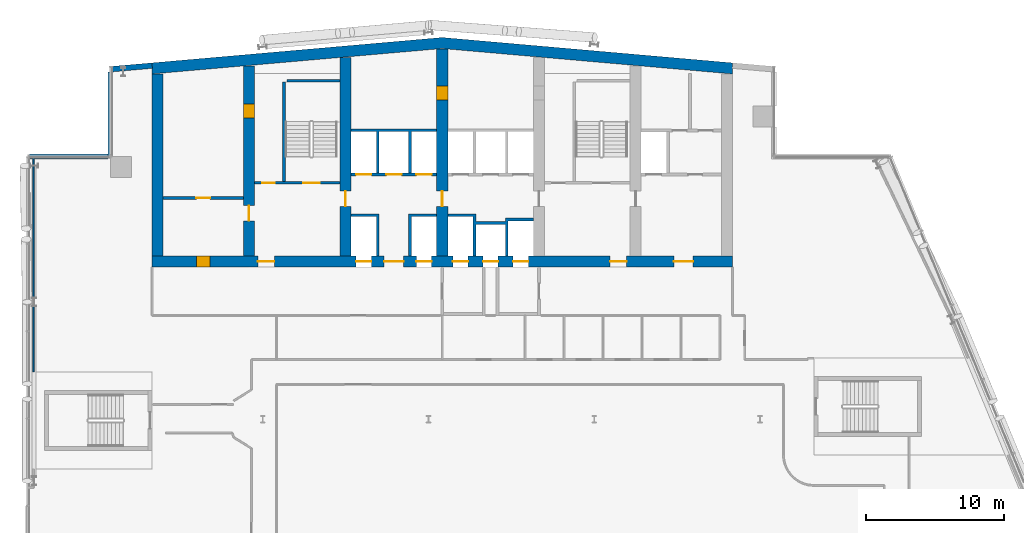
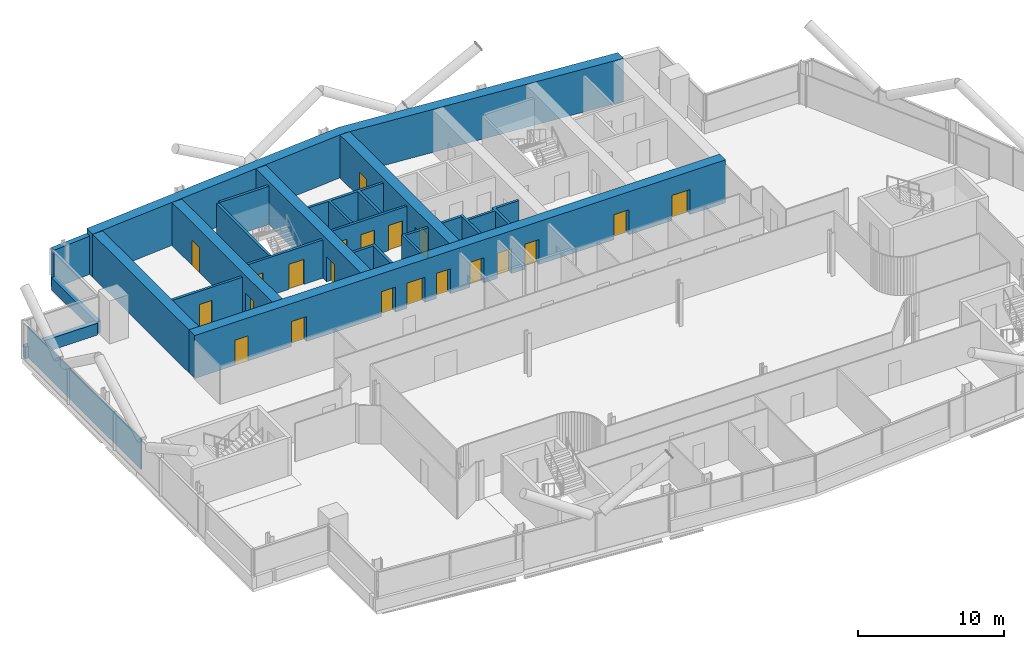
# One storey, part 18 of 27: 21 doors, 19 walls, 21 openings.
"""IFC4 building model written with IfcOpenShell, lengths in metres."""

from ifc_helpers import new_model, si_unit, direction, frame, frame_2d, origin, place, context, subcontext, project, spatial, polyline, rectangle, outline, extrude, material, layer, layer_set, type_object, element, fill, save


model = new_model("IFC4")

# Units and contexts
model_context = context("Model", 3, precision=1e-05, world=origin(), true_north=direction((0.0, 1.0)))
body_context = subcontext(model_context, "Body", "Model", "MODEL_VIEW")
ifc_project = project(units=[si_unit("LENGTHUNIT", "METRE"), si_unit("AREAUNIT", "SQUARE_METRE"), si_unit("VOLUMEUNIT", "CUBIC_METRE"), si_unit("PLANEANGLEUNIT", "RADIAN"), si_unit("MASSUNIT", "GRAM", prefix="KILO")], contexts=[model_context])

# Site, building, storey
site_placement = place(None, origin())
site = spatial("IfcSite", under=ifc_project, at=site_placement, CompositionType="ELEMENT")
building_placement = place(site_placement, origin())
building = spatial("IfcBuilding", under=site, at=building_placement, Name="Wharfspan Tower", CompositionType="ELEMENT")
storey_placement = place(building_placement, frame((0.0, 0.0, 159.100098)))
storey = spatial("IfcBuildingStorey", under=building, at=storey_placement, Name="L38", CompositionType="ELEMENT", Elevation=159.100098)

# Wall, opening, door
ifc_material_1 = material(Name="Calcium silicate masonry", Category="masonry")
ifc_layer_1 = layer(ifc_material_1, 0.199951)
ifc_layer_set_1 = layer_set([ifc_layer_1], Name="Calcium silicate masonry")
wall_type_1 = type_object("IfcWallType", Name="Core room wall 200", PredefinedType="PARTITIONING", material=ifc_layer_set_1)
wall_1_placement = place(storey_placement, frame((16.800049, 39.0, 0.0), z_axis=(0.0, 0.0, 1.0), x_axis=(1.0, 0.0, 0.0)))
wall_1 = element("IfcWall", 1, at=wall_1_placement, inside=storey, type_object=wall_type_1, Name="sw:L38:RM1", PredefinedType="PARTITIONING", context=body_context, shape_type="SweptSolid", body=[
    extrude(rectangle(XDim=5.800049, YDim=0.199951, at=frame_2d((2.899902, 0.0))), origin(), (0.0, 0.0, 1.0), 3.199951),
])
opening_1_placement = place(wall_1_placement, frame((2.399902, 0.0, 0.0)))
opening_1 = element("IfcOpeningElement", 2, at=opening_1_placement, cuts=wall_1, Name="Opening CD38.12", PredefinedType="OPENING", context=body_context, shape_type="SweptSolid", body=[
    extrude(rectangle(XDim=1.0, YDim=2.100098, at=frame_2d((0.5, 1.050049))), frame((0.0, 0.109863, 0.0), z_axis=(0.0, -1.0, 0.0), x_axis=(1.0, 0.0, 0.0)), (0.0, 0.0, 1.0), 0.219971),
])
ifc_material_2 = material(Name="Steel door leaf", Category="steel")
door_type_1 = type_object("IfcDoorType", Name="Core room door 1000x2100", OperationType="SINGLE_SWING_LEFT", PredefinedType="DOOR", material=ifc_material_2)
door_1_placement = place(opening_1_placement, origin())
door_1 = element("IfcDoor", 3, at=door_1_placement, inside=storey, type_object=door_type_1, Name="d:L38:1:rr", OperationType="SINGLE_SWING_RIGHT", OverallHeight=2.100098, OverallWidth=1.0, PredefinedType="DOOR", context=body_context, shape_type="SweptSolid", body=[
    extrude(rectangle(XDim=1.0, YDim=2.100098, at=frame_2d((0.5, 1.050049))), frame((0.0, 0.024902, 0.0), z_axis=(0.0, -1.0, 0.0), x_axis=(1.0, 0.0, 0.0)), (0.0, 0.0, 1.0), 0.050049),
])
fill(opening_1, door_1)

# Wall
ifc_material_3 = material(Name="Concrete C60/75", Category="concrete")
ifc_layer_2 = layer(ifc_material_3, 0.800049)
ifc_layer_set_2 = layer_set([ifc_layer_2], Name="Concrete C60/75")
wall_type_2 = type_object("IfcWallType", Name="Core wall 800 C60/75", PredefinedType="SHEAR", material=ifc_layer_set_2)
wall_2_placement = place(storey_placement, frame((0.0, 0.0, -0.000244)))
element("IfcWall", 4, at=wall_2_placement, inside=storey, type_object=wall_type_2, Name="Core rear wall L38", PredefinedType="SHEAR", context=body_context, shape_type="SweptSolid", body=[
    extrude(outline(polyline([(16.0, 47.984375), (37.0, 49.821533), (58.0, 47.984375), (58.0, 48.787354), (37.0, 50.624756), (16.0, 48.787354), (16.0, 47.984375)])), origin(), (0.0, 0.0, 1.0), 3.600098),
])

# Wall, openings, doors
wall_3_placement = place(storey_placement, frame((16.0, 34.399902, 0.0), z_axis=(0.0, 0.0, 1.0), x_axis=(1.0, 0.0, 0.0)))
wall_3 = element("IfcWall", 5, at=wall_3_placement, inside=storey, type_object=wall_type_2, Name="Core front wall L38", PredefinedType="SHEAR", context=body_context, shape_type="SweptSolid", body=[
    extrude(rectangle(XDim=42.0, YDim=0.800049, at=frame_2d((21.0, 0.0))), origin(), (0.0, 0.0, 1.0), 3.599854),
])
opening_2_placement = place(wall_3_placement, frame((3.199951, 0.0, 0.0)))
opening_2 = element("IfcOpeningElement", 6, at=opening_2_placement, cuts=wall_3, Name="Opening CD38.11", PredefinedType="OPENING", context=body_context, shape_type="SweptSolid", body=[
    extrude(rectangle(XDim=1.0, YDim=2.100098, at=frame_2d((0.5, 1.050049))), frame((0.0, 0.409912, 0.0), z_axis=(0.0, -1.0, 0.0), x_axis=(1.0, 0.0, 0.0)), (0.0, 0.0, 1.0), 0.820068),
])
opening_3_placement = place(wall_3_placement, frame((7.649902, 0.0, 0.0)))
opening_3 = element("IfcOpeningElement", 7, at=opening_3_placement, cuts=wall_3, Name="Opening SV2.L38", PredefinedType="OPENING", context=body_context, shape_type="SweptSolid", body=[
    extrude(rectangle(XDim=1.199951, YDim=2.100098, at=frame_2d((0.600098, 1.050049))), frame((0.0, 0.409912, 0.0), z_axis=(0.0, -1.0, 0.0), x_axis=(1.0, 0.0, 0.0)), (0.0, 0.0, 1.0), 0.820068),
])
opening_4_placement = place(wall_3_placement, frame((14.766602, 0.0, 0.0)))
opening_4 = element("IfcOpeningElement", 8, at=opening_4_placement, cuts=wall_3, Name="Opening LD.SL1.L38", PredefinedType="OPENING", context=body_context, shape_type="SweptSolid", body=[
    extrude(rectangle(XDim=1.100098, YDim=2.100098, at=frame_2d((0.550049, 1.050049))), frame((0.0, 0.409912, 0.0), z_axis=(0.0, -1.0, 0.0), x_axis=(1.0, 0.0, 0.0)), (0.0, 0.0, 1.0), 0.820068),
])
opening_5_placement = place(wall_3_placement, frame((19.133301, 0.0, 0.0)))
opening_5 = element("IfcOpeningElement", 9, at=opening_5_placement, cuts=wall_3, Name="Opening LD.SL2.L38", PredefinedType="OPENING", context=body_context, shape_type="SweptSolid", body=[
    extrude(rectangle(XDim=1.100098, YDim=2.100098, at=frame_2d((0.550049, 1.050049))), frame((0.0, 0.409912, 0.0), z_axis=(0.0, -1.0, 0.0), x_axis=(1.0, 0.0, 0.0)), (0.0, 0.0, 1.0), 0.820068),
])
opening_6_placement = place(wall_3_placement, frame((16.800049, 0.0, 0.0)))
opening_6 = element("IfcOpeningElement", 10, at=opening_6_placement, cuts=wall_3, Name="Opening HD38.3", PredefinedType="OPENING", context=body_context, shape_type="SweptSolid", body=[
    extrude(rectangle(XDim=1.399902, YDim=2.100098, at=frame_2d((0.699951, 1.050049))), frame((0.0, 0.409912, 0.0), z_axis=(0.0, -1.0, 0.0), x_axis=(1.0, 0.0, 0.0)), (0.0, 0.0, 1.0), 0.820068),
])
opening_7_placement = place(wall_3_placement, frame((21.766602, 0.0, 0.0)))
opening_7 = element("IfcOpeningElement", 11, at=opening_7_placement, cuts=wall_3, Name="Opening LD.FF1.L38", PredefinedType="OPENING", context=body_context, shape_type="SweptSolid", body=[
    extrude(rectangle(XDim=1.100098, YDim=2.100098, at=frame_2d((0.550049, 1.050049))), frame((0.0, 0.409912, 0.0), z_axis=(0.0, -1.0, 0.0), x_axis=(1.0, 0.0, 0.0)), (0.0, 0.0, 1.0), 0.820068),
])
opening_8_placement = place(wall_3_placement, frame((23.949951, 0.0, 0.0)))
opening_8 = element("IfcOpeningElement", 12, at=opening_8_placement, cuts=wall_3, Name="Opening LD.LB7.L38", PredefinedType="OPENING", context=body_context, shape_type="SweptSolid", body=[
    extrude(rectangle(XDim=1.100098, YDim=2.100098, at=frame_2d((0.550049, 1.050049))), frame((0.0, 0.409912, 0.0), z_axis=(0.0, -1.0, 0.0), x_axis=(1.0, 0.0, 0.0)), (0.0, 0.0, 1.0), 0.820068),
])
opening_9_placement = place(wall_3_placement, frame((26.133301, 0.0, 0.0)))
opening_9 = element("IfcOpeningElement", 13, at=opening_9_placement, cuts=wall_3, Name="Opening LD.FF2.L38", PredefinedType="OPENING", context=body_context, shape_type="SweptSolid", body=[
    extrude(rectangle(XDim=1.100098, YDim=2.100098, at=frame_2d((0.550049, 1.050049))), frame((0.0, 0.409912, 0.0), z_axis=(0.0, -1.0, 0.0), x_axis=(1.0, 0.0, 0.0)), (0.0, 0.0, 1.0), 0.820068),
])
opening_10_placement = place(wall_3_placement, frame((33.149902, 0.0, 0.0)))
opening_10 = element("IfcOpeningElement", 14, at=opening_10_placement, cuts=wall_3, Name="Opening SV5.L38", PredefinedType="OPENING", context=body_context, shape_type="SweptSolid", body=[
    extrude(rectangle(XDim=1.199951, YDim=2.100098, at=frame_2d((0.600098, 1.050049))), frame((0.0, 0.409912, 0.0), z_axis=(0.0, -1.0, 0.0), x_axis=(1.0, 0.0, 0.0)), (0.0, 0.0, 1.0), 0.820068),
])
opening_11_placement = place(wall_3_placement, frame((37.766602, 0.0, 0.0)))
opening_11 = element("IfcOpeningElement", 15, at=opening_11_placement, cuts=wall_3, Name="Opening HD38.6", PredefinedType="OPENING", context=body_context, shape_type="SweptSolid", body=[
    extrude(rectangle(XDim=1.399902, YDim=2.100098, at=frame_2d((0.699951, 1.050049))), frame((0.0, 0.409912, 0.0), z_axis=(0.0, -1.0, 0.0), x_axis=(1.0, 0.0, 0.0)), (0.0, 0.0, 1.0), 0.820068),
])
door_2_placement = place(opening_2_placement, origin())
door_2 = element("IfcDoor", 16, at=door_2_placement, inside=storey, type_object=door_type_1, Name="d:L38:1:rf", OperationType="SINGLE_SWING_LEFT", OverallHeight=2.100098, OverallWidth=1.0, PredefinedType="DOOR", context=body_context, shape_type="SweptSolid", body=[
    extrude(rectangle(XDim=1.0, YDim=2.100098, at=frame_2d((0.5, 1.050049))), frame((0.0, 0.399902, 0.0), z_axis=(0.0, -1.0, 0.0), x_axis=(1.0, 0.0, 0.0)), (0.0, 0.0, 1.0), 0.799561),
])
fill(opening_2, door_2)
door_type_2 = type_object("IfcDoorType", Name="Hall entry door 1400x2100", OperationType="DOUBLE_DOOR_SINGLE_SWING", PredefinedType="DOOR", material=ifc_material_2)
door_3_placement = place(opening_6_placement, origin())
door_3 = element("IfcDoor", 17, at=door_3_placement, inside=storey, type_object=door_type_2, Name="d:L38:3:hd3", OperationType="DOUBLE_DOOR_SINGLE_SWING", OverallHeight=2.100098, OverallWidth=1.399902, PredefinedType="DOOR", context=body_context, shape_type="SweptSolid", body=[
    extrude(rectangle(XDim=1.399902, YDim=2.100098, at=frame_2d((0.699951, 1.050049))), frame((0.0, 0.024902, 0.0), z_axis=(0.0, -1.0, 0.0), x_axis=(1.0, 0.0, 0.0)), (0.0, 0.0, 1.0), 0.050049),
])
fill(opening_6, door_3)
door_4_placement = place(opening_11_placement, origin())
door_4 = element("IfcDoor", 18, at=door_4_placement, inside=storey, type_object=door_type_2, Name="d:L38:6:hd6", OperationType="DOUBLE_DOOR_SINGLE_SWING", OverallHeight=2.100098, OverallWidth=1.399902, PredefinedType="DOOR", context=body_context, shape_type="SweptSolid", body=[
    extrude(rectangle(XDim=1.399902, YDim=2.100098, at=frame_2d((0.699951, 1.050049))), frame((0.0, 0.024902, 0.0), z_axis=(0.0, -1.0, 0.0), x_axis=(1.0, 0.0, 0.0)), (0.0, 0.0, 1.0), 0.050049),
])
fill(opening_11, door_4)
ifc_material_4 = material(Name="Stainless steel", Category="steel")
door_type_3 = type_object("IfcDoorType", Name="Lift landing door 1100x2100", OperationType="DOUBLE_DOOR_SLIDING", PredefinedType="DOOR", material=ifc_material_4)
door_5_placement = place(opening_4_placement, origin())
door_5 = element("IfcDoor", 19, at=door_5_placement, inside=storey, type_object=door_type_3, Name="Landing door SL1 L38", OperationType="DOUBLE_DOOR_SLIDING", OverallHeight=2.100098, OverallWidth=1.100098, PredefinedType="DOOR", context=body_context, shape_type="SweptSolid", body=[
    extrude(rectangle(XDim=1.100098, YDim=2.100098, at=frame_2d((0.550049, 1.050049))), frame((0.0, 0.024902, 0.0), z_axis=(0.0, -1.0, 0.0), x_axis=(1.0, 0.0, 0.0)), (0.0, 0.0, 1.0), 0.050049),
])
fill(opening_4, door_5)
door_6_placement = place(opening_5_placement, origin())
door_6 = element("IfcDoor", 20, at=door_6_placement, inside=storey, type_object=door_type_3, Name="Landing door SL2 L38", OperationType="DOUBLE_DOOR_SLIDING", OverallHeight=2.100098, OverallWidth=1.100098, PredefinedType="DOOR", context=body_context, shape_type="SweptSolid", body=[
    extrude(rectangle(XDim=1.100098, YDim=2.100098, at=frame_2d((0.550049, 1.050049))), frame((0.0, 0.024902, 0.0), z_axis=(0.0, -1.0, 0.0), x_axis=(1.0, 0.0, 0.0)), (0.0, 0.0, 1.0), 0.050049),
])
fill(opening_5, door_6)
door_7_placement = place(opening_7_placement, origin())
door_7 = element("IfcDoor", 21, at=door_7_placement, inside=storey, type_object=door_type_3, Name="Landing door FF1 L38", OperationType="DOUBLE_DOOR_SLIDING", OverallHeight=2.100098, OverallWidth=1.100098, PredefinedType="DOOR", context=body_context, shape_type="SweptSolid", body=[
    extrude(rectangle(XDim=1.100098, YDim=2.100098, at=frame_2d((0.550049, 1.050049))), frame((0.0, 0.024902, 0.0), z_axis=(0.0, -1.0, 0.0), x_axis=(1.0, 0.0, 0.0)), (0.0, 0.0, 1.0), 0.050049),
])
fill(opening_7, door_7)
door_8_placement = place(opening_8_placement, origin())
door_8 = element("IfcDoor", 22, at=door_8_placement, inside=storey, type_object=door_type_3, Name="Landing door LB7 L38", OperationType="DOUBLE_DOOR_SLIDING", OverallHeight=2.100098, OverallWidth=1.100098, PredefinedType="DOOR", context=body_context, shape_type="SweptSolid", body=[
    extrude(rectangle(XDim=1.100098, YDim=2.100098, at=frame_2d((0.550049, 1.050049))), frame((0.0, 0.024902, 0.0), z_axis=(0.0, -1.0, 0.0), x_axis=(1.0, 0.0, 0.0)), (0.0, 0.0, 1.0), 0.050049),
])
fill(opening_8, door_8)
door_9_placement = place(opening_9_placement, origin())
door_9 = element("IfcDoor", 23, at=door_9_placement, inside=storey, type_object=door_type_3, Name="Landing door FF2 L38", OperationType="DOUBLE_DOOR_SLIDING", OverallHeight=2.100098, OverallWidth=1.100098, PredefinedType="DOOR", context=body_context, shape_type="SweptSolid", body=[
    extrude(rectangle(XDim=1.100098, YDim=2.100098, at=frame_2d((0.550049, 1.050049))), frame((0.0, 0.024902, 0.0), z_axis=(0.0, -1.0, 0.0), x_axis=(1.0, 0.0, 0.0)), (0.0, 0.0, 1.0), 0.050049),
])
fill(opening_9, door_9)
door_type_4 = type_object("IfcDoorType", Name="Stair door 1200x2100", OperationType="SINGLE_SWING_LEFT", PredefinedType="DOOR", material=ifc_material_2)
door_10_placement = place(opening_3_placement, origin())
door_10 = element("IfcDoor", 24, at=door_10_placement, inside=storey, type_object=door_type_4, Name="vd:L38:2", OperationType="SINGLE_SWING_LEFT", OverallHeight=2.100098, OverallWidth=1.199951, PredefinedType="DOOR", context=body_context, shape_type="SweptSolid", body=[
    extrude(rectangle(XDim=1.199951, YDim=2.100098, at=frame_2d((0.600098, 1.050049))), frame((0.0, 0.024902, 0.0), z_axis=(0.0, -1.0, 0.0), x_axis=(1.0, 0.0, 0.0)), (0.0, 0.0, 1.0), 0.050049),
])
fill(opening_3, door_10)
door_11_placement = place(opening_10_placement, origin())
door_11 = element("IfcDoor", 25, at=door_11_placement, inside=storey, type_object=door_type_4, Name="vd:L38:5", OperationType="SINGLE_SWING_LEFT", OverallHeight=2.100098, OverallWidth=1.199951, PredefinedType="DOOR", context=body_context, shape_type="SweptSolid", body=[
    extrude(rectangle(XDim=1.199951, YDim=2.100098, at=frame_2d((0.600098, 1.050049))), frame((0.0, 0.024902, 0.0), z_axis=(0.0, -1.0, 0.0), x_axis=(1.0, 0.0, 0.0)), (0.0, 0.0, 1.0), 0.050049),
])
fill(opening_10, door_11)

# Wall
wall_4_placement = place(storey_placement, frame((16.399902, 34.800049, 0.0), z_axis=(0.0, 0.0, 1.0), x_axis=(0.0, 1.0, 0.0)))
element("IfcWall", 26, at=wall_4_placement, inside=storey, type_object=wall_type_2, Name="Core cross wall EW0 L38", PredefinedType="SHEAR", context=body_context, shape_type="SweptSolid", body=[
    extrude(rectangle(XDim=13.184326, YDim=0.800049, at=frame_2d((6.592285, 0.0))), origin(), (0.0, 0.0, 1.0), 3.599854),
])

# Wall, openings, doors
wall_5_placement = place(storey_placement, frame((23.0, 34.800049, 0.0), z_axis=(0.0, 0.0, 1.0), x_axis=(0.0, 1.0, 0.0)))
wall_5 = element("IfcWall", 27, at=wall_5_placement, inside=storey, type_object=wall_type_2, Name="Core cross wall X2 L38", PredefinedType="SHEAR", context=body_context, shape_type="SweptSolid", body=[
    extrude(rectangle(XDim=13.761719, YDim=0.800049, at=frame_2d((6.880859, 0.0))), origin(), (0.0, 0.0, 1.0), 3.599854),
])
opening_12_placement = place(wall_5_placement, frame((2.550049, 0.0, 0.0)))
opening_12 = element("IfcOpeningElement", 28, at=opening_12_placement, cuts=wall_5, Name="Opening CC38.2", PredefinedType="OPENING", context=body_context, shape_type="SweptSolid", body=[
    extrude(rectangle(XDim=1.100098, YDim=2.100098, at=frame_2d((0.550049, 1.050049))), frame((0.0, 0.409912, 0.0), z_axis=(0.0, -1.0, 0.0), x_axis=(1.0, 0.0, 0.0)), (0.0, 0.0, 1.0), 0.820068),
])
opening_13_placement = place(wall_5_placement, frame((10.0, 0.0, 0.0)))
opening_13 = element("IfcOpeningElement", 29, at=opening_13_placement, cuts=wall_5, Name="Opening CR38.2", PredefinedType="OPENING", context=body_context, shape_type="SweptSolid", body=[
    extrude(rectangle(XDim=1.0, YDim=2.100098, at=frame_2d((0.5, 1.050049))), frame((0.0, 0.409912, 0.0), z_axis=(0.0, -1.0, 0.0), x_axis=(1.0, 0.0, 0.0)), (0.0, 0.0, 1.0), 0.820068),
])
door_type_5 = type_object("IfcDoorType", Name="Core corridor door 1100x2100", OperationType="SINGLE_SWING_LEFT", PredefinedType="DOOR", material=ifc_material_2)
door_12_placement = place(opening_12_placement, origin())
door_12 = element("IfcDoor", 30, at=door_12_placement, inside=storey, type_object=door_type_5, Name="xd:L38:2", OperationType="SINGLE_SWING_RIGHT", OverallHeight=2.100098, OverallWidth=1.100098, PredefinedType="DOOR", context=body_context, shape_type="SweptSolid", body=[
    extrude(rectangle(XDim=1.100098, YDim=2.100098, at=frame_2d((0.550049, 1.050049))), frame((0.0, 0.024902, 0.0), z_axis=(0.0, -1.0, 0.0), x_axis=(1.0, 0.0, 0.0)), (0.0, 0.0, 1.0), 0.050049),
])
fill(opening_12, door_12)
door_13_placement = place(opening_13_placement, origin())
door_13 = element("IfcDoor", 31, at=door_13_placement, inside=storey, type_object=door_type_1, Name="xr:L38:2", OperationType="SINGLE_SWING_RIGHT", OverallHeight=2.100098, OverallWidth=1.0, PredefinedType="DOOR", context=body_context, shape_type="SweptSolid", body=[
    extrude(rectangle(XDim=1.0, YDim=2.100098, at=frame_2d((0.5, 1.050049))), frame((0.0, 0.399902, 0.0), z_axis=(0.0, -1.0, 0.0), x_axis=(1.0, 0.0, 0.0)), (0.0, 0.0, 1.0), 0.799561),
])
fill(opening_13, door_13)

# Wall, opening, door
wall_6_placement = place(storey_placement, frame((30.0, 34.800049, 0.0), z_axis=(0.0, 0.0, 1.0), x_axis=(0.0, 1.0, 0.0)))
wall_6 = element("IfcWall", 32, at=wall_6_placement, inside=storey, type_object=wall_type_2, Name="Core cross wall X3 L38", PredefinedType="SHEAR", context=body_context, shape_type="SweptSolid", body=[
    extrude(rectangle(XDim=14.374023, YDim=0.800049, at=frame_2d((7.187012, 0.0))), origin(), (0.0, 0.0, 1.0), 3.599854),
])
opening_14_placement = place(wall_6_placement, frame((3.600098, 0.0, 0.0)))
opening_14 = element("IfcOpeningElement", 33, at=opening_14_placement, cuts=wall_6, Name="Opening CC38.3", PredefinedType="OPENING", context=body_context, shape_type="SweptSolid", body=[
    extrude(rectangle(XDim=1.100098, YDim=2.100098, at=frame_2d((0.550049, 1.050049))), frame((0.0, 0.409912, 0.0), z_axis=(0.0, -1.0, 0.0), x_axis=(1.0, 0.0, 0.0)), (0.0, 0.0, 1.0), 0.820068),
])
door_14_placement = place(opening_14_placement, origin())
door_14 = element("IfcDoor", 34, at=door_14_placement, inside=storey, type_object=door_type_5, Name="xd:L38:3", OperationType="SINGLE_SWING_LEFT", OverallHeight=2.100098, OverallWidth=1.100098, PredefinedType="DOOR", context=body_context, shape_type="SweptSolid", body=[
    extrude(rectangle(XDim=1.100098, YDim=2.100098, at=frame_2d((0.550049, 1.050049))), frame((0.0, 0.024902, 0.0), z_axis=(0.0, -1.0, 0.0), x_axis=(1.0, 0.0, 0.0)), (0.0, 0.0, 1.0), 0.050049),
])
fill(opening_14, door_14)

# Wall, openings, doors
wall_7_placement = place(storey_placement, frame((37.0, 34.800049, 0.0), z_axis=(0.0, 0.0, 1.0), x_axis=(0.0, 1.0, 0.0)))
wall_7 = element("IfcWall", 35, at=wall_7_placement, inside=storey, type_object=wall_type_2, Name="Core cross wall X4 L38", PredefinedType="SHEAR", context=body_context, shape_type="SweptSolid", body=[
    extrude(rectangle(XDim=14.986572, YDim=0.800049, at=frame_2d((7.493164, 0.0))), origin(), (0.0, 0.0, 1.0), 3.599854),
])
opening_15_placement = place(wall_7_placement, frame((11.312012, 0.0, 0.0)))
opening_15 = element("IfcOpeningElement", 36, at=opening_15_placement, cuts=wall_7, Name="Opening CD38.3X", PredefinedType="OPENING", context=body_context, shape_type="SweptSolid", body=[
    extrude(rectangle(XDim=1.0, YDim=2.100098, at=frame_2d((0.5, 1.050049))), frame((0.0, 0.409912, 0.0), z_axis=(0.0, -1.0, 0.0), x_axis=(1.0, 0.0, 0.0)), (0.0, 0.0, 1.0), 0.820068),
])
opening_16_placement = place(wall_7_placement, frame((3.600098, 0.0, 0.0)))
opening_16 = element("IfcOpeningElement", 37, at=opening_16_placement, cuts=wall_7, Name="Opening CC38.4", PredefinedType="OPENING", context=body_context, shape_type="SweptSolid", body=[
    extrude(rectangle(XDim=1.100098, YDim=2.100098, at=frame_2d((0.550049, 1.050049))), frame((0.0, 0.409912, 0.0), z_axis=(0.0, -1.0, 0.0), x_axis=(1.0, 0.0, 0.0)), (0.0, 0.0, 1.0), 0.820068),
])
door_15_placement = place(opening_16_placement, origin())
door_15 = element("IfcDoor", 38, at=door_15_placement, inside=storey, type_object=door_type_5, Name="xd:L38:4", OperationType="SINGLE_SWING_RIGHT", OverallHeight=2.100098, OverallWidth=1.100098, PredefinedType="DOOR", context=body_context, shape_type="SweptSolid", body=[
    extrude(rectangle(XDim=1.100098, YDim=2.100098, at=frame_2d((0.550049, 1.050049))), frame((0.0, 0.024902, 0.0), z_axis=(0.0, -1.0, 0.0), x_axis=(1.0, 0.0, 0.0)), (0.0, 0.0, 1.0), 0.050049),
])
fill(opening_16, door_15)
door_16_placement = place(opening_15_placement, origin())
door_16 = element("IfcDoor", 39, at=door_16_placement, inside=storey, type_object=door_type_1, Name="d:L38:3:sx", OperationType="SINGLE_SWING_LEFT", OverallHeight=2.100098, OverallWidth=1.0, PredefinedType="DOOR", context=body_context, shape_type="SweptSolid", body=[
    extrude(rectangle(XDim=1.0, YDim=2.100098, at=frame_2d((0.5, 1.050049))), frame((0.0, 0.399902, 0.0), z_axis=(0.0, -1.0, 0.0), x_axis=(1.0, 0.0, 0.0)), (0.0, 0.0, 1.0), 0.799561),
])
fill(opening_15, door_16)

ifc_material_5 = material(Name="Concrete C30/37", Category="concrete")
ifc_layer_3 = layer(ifc_material_5, 0.199951)
ifc_layer_set_3 = layer_set([ifc_layer_3], Name="Concrete C30/37")
wall_type_3 = type_object("IfcWallType", Name="Lift shaft wall 200", PredefinedType="PARTITIONING", material=ifc_layer_set_3)
wall_8_placement = place(storey_placement, frame((30.399902, 40.699951, 0.0), z_axis=(0.0, 0.0, 1.0), x_axis=(1.0, 0.0, 0.0)))
wall_8 = element("IfcWall", 40, at=wall_8_placement, inside=storey, type_object=wall_type_3, Name="sw:L38:RF3", PredefinedType="PARTITIONING", context=body_context, shape_type="SweptSolid", body=[
    extrude(rectangle(XDim=6.200195, YDim=0.199951, at=frame_2d((3.100098, 0.0))), origin(), (0.0, 0.0, 1.0), 3.199951),
])
opening_17_placement = place(wall_8_placement, frame((0.366699, 0.0, 0.0)))
opening_17 = element("IfcOpeningElement", 41, at=opening_17_placement, cuts=wall_8, Name="Opening LD.LB1.L38", PredefinedType="OPENING", context=body_context, shape_type="SweptSolid", body=[
    extrude(rectangle(XDim=1.100098, YDim=2.100098, at=frame_2d((0.550049, 1.050049))), frame((0.0, 0.109863, 0.0), z_axis=(0.0, -1.0, 0.0), x_axis=(1.0, 0.0, 0.0)), (0.0, 0.0, 1.0), 0.219971),
])
opening_18_placement = place(wall_8_placement, frame((2.550049, 0.0, 0.0)))
opening_18 = element("IfcOpeningElement", 42, at=opening_18_placement, cuts=wall_8, Name="Opening LD.LB2.L38", PredefinedType="OPENING", context=body_context, shape_type="SweptSolid", body=[
    extrude(rectangle(XDim=1.100098, YDim=2.100098, at=frame_2d((0.550049, 1.050049))), frame((0.0, 0.109863, 0.0), z_axis=(0.0, -1.0, 0.0), x_axis=(1.0, 0.0, 0.0)), (0.0, 0.0, 1.0), 0.219971),
])
opening_19_placement = place(wall_8_placement, frame((4.733398, 0.0, 0.0)))
opening_19 = element("IfcOpeningElement", 43, at=opening_19_placement, cuts=wall_8, Name="Opening LD.LB3.L38", PredefinedType="OPENING", context=body_context, shape_type="SweptSolid", body=[
    extrude(rectangle(XDim=1.100098, YDim=2.100098, at=frame_2d((0.550049, 1.050049))), frame((0.0, 0.109863, 0.0), z_axis=(0.0, -1.0, 0.0), x_axis=(1.0, 0.0, 0.0)), (0.0, 0.0, 1.0), 0.219971),
])
door_17_placement = place(opening_17_placement, origin())
door_17 = element("IfcDoor", 44, at=door_17_placement, inside=storey, type_object=door_type_3, Name="Landing door LB1 L38", OperationType="DOUBLE_DOOR_SLIDING", OverallHeight=2.100098, OverallWidth=1.100098, PredefinedType="DOOR", context=body_context, shape_type="SweptSolid", body=[
    extrude(rectangle(XDim=1.100098, YDim=2.100098, at=frame_2d((0.550049, 1.050049))), frame((0.0, 0.024902, 0.0), z_axis=(0.0, -1.0, 0.0), x_axis=(1.0, 0.0, 0.0)), (0.0, 0.0, 1.0), 0.050049),
])
fill(opening_17, door_17)
door_18_placement = place(opening_18_placement, origin())
door_18 = element("IfcDoor", 45, at=door_18_placement, inside=storey, type_object=door_type_3, Name="Landing door LB2 L38", OperationType="DOUBLE_DOOR_SLIDING", OverallHeight=2.100098, OverallWidth=1.100098, PredefinedType="DOOR", context=body_context, shape_type="SweptSolid", body=[
    extrude(rectangle(XDim=1.100098, YDim=2.100098, at=frame_2d((0.550049, 1.050049))), frame((0.0, 0.024902, 0.0), z_axis=(0.0, -1.0, 0.0), x_axis=(1.0, 0.0, 0.0)), (0.0, 0.0, 1.0), 0.050049),
])
fill(opening_18, door_18)
door_19_placement = place(opening_19_placement, origin())
door_19 = element("IfcDoor", 46, at=door_19_placement, inside=storey, type_object=door_type_3, Name="Landing door LB3 L38", OperationType="DOUBLE_DOOR_SLIDING", OverallHeight=2.100098, OverallWidth=1.100098, PredefinedType="DOOR", context=body_context, shape_type="SweptSolid", body=[
    extrude(rectangle(XDim=1.100098, YDim=2.100098, at=frame_2d((0.550049, 1.050049))), frame((0.0, 0.024902, 0.0), z_axis=(0.0, -1.0, 0.0), x_axis=(1.0, 0.0, 0.0)), (0.0, 0.0, 1.0), 0.050049),
])
fill(opening_19, door_19)

# Walls
wall_9_placement = place(storey_placement, frame((0.0, 0.0, -0.000244)))
element("IfcWall", 47, at=wall_9_placement, inside=storey, type_object=wall_type_3, Name="sw:L38:FM3.0", PredefinedType="PARTITIONING", context=body_context, shape_type="SweptSolid", body=[
    extrude(outline(polyline([(32.233398, 37.649902), (30.399902, 37.649902), (30.399902, 37.850098), (32.233398, 37.850098), (32.43335, 37.850098), (32.43335, 34.800049), (32.233398, 34.800049), (32.233398, 37.649902)])), origin(), (0.0, 0.0, 1.0), 3.200195),
])
wall_10_placement = place(storey_placement, frame((0.0, 0.0, -0.000244)))
element("IfcWall", 48, at=wall_10_placement, inside=storey, type_object=wall_type_3, Name="sw:L38:FM3.1", PredefinedType="PARTITIONING", context=body_context, shape_type="SweptSolid", body=[
    extrude(outline(polyline([(34.56665, 37.850098), (34.766602, 37.850098), (36.600098, 37.850098), (36.600098, 37.649902), (34.766602, 37.649902), (34.766602, 34.800049), (34.56665, 34.800049), (34.56665, 37.850098)])), origin(), (0.0, 0.0, 1.0), 3.200195),
])
wall_11_placement = place(storey_placement, frame((0.0, 0.0, -0.000244)))
element("IfcWall", 49, at=wall_11_placement, inside=storey, type_object=wall_type_3, Name="sw:L38:RM3.0", PredefinedType="PARTITIONING", context=body_context, shape_type="SweptSolid", body=[
    extrude(outline(polyline([(32.43335, 40.800049), (32.233398, 40.800049), (32.233398, 43.800049), (30.399902, 43.800049), (30.399902, 44.0), (36.600098, 44.0), (36.600098, 43.800049), (34.766602, 43.800049), (34.766602, 40.800049), (34.56665, 40.800049), (34.56665, 43.800049), (32.43335, 43.800049), (32.43335, 40.800049)])), origin(), (0.0, 0.0, 1.0), 3.200195),
])
wall_12_placement = place(storey_placement, frame((0.0, 0.0, -0.000244)))
element("IfcWall", 50, at=wall_12_placement, inside=storey, type_object=wall_type_3, Name="sw:L38:FM4.0", PredefinedType="PARTITIONING", context=body_context, shape_type="SweptSolid", body=[
    extrude(outline(polyline([(41.56665, 37.100098), (39.43335, 37.100098), (39.43335, 34.800049), (39.233398, 34.800049), (39.233398, 37.649902), (37.399902, 37.649902), (37.399902, 37.850098), (39.233398, 37.850098), (39.43335, 37.850098), (39.43335, 37.300049), (41.56665, 37.300049), (41.56665, 37.550049), (41.766602, 37.550049), (43.600098, 37.550049), (43.600098, 37.350098), (41.766602, 37.350098), (41.766602, 34.800049), (41.56665, 34.800049), (41.56665, 37.100098)])), origin(), (0.0, 0.0, 1.0), 3.200195),
])
ifc_material_6 = material(Name="Gypsum board on steel studs", Category="steel")
ifc_layer_4 = layer(ifc_material_6, 0.100098)
ifc_layer_set_4 = layer_set([ifc_layer_4], Name="Gypsum board on steel studs")
wall_type_4 = type_object("IfcWallType", Name="Partition 100", PredefinedType="PARTITIONING", material=ifc_layer_set_4)
wall_13_placement = place(storey_placement, frame((7.419922, 26.419922, 0.0), z_axis=(0.0, 0.0, 1.0), x_axis=(0.0, 1.0, 0.0)))
element("IfcWall", 51, at=wall_13_placement, inside=storey, type_object=wall_type_4, Name="Partition L38.w003", PredefinedType="PARTITIONING", context=body_context, shape_type="SweptSolid", body=[
    extrude(rectangle(XDim=15.560059, YDim=0.100098, at=frame_2d((7.780029, 0.0))), origin(), (0.0, 0.0, 1.0), 2.579834),
])
ifc_material_7 = material(Name="Concrete C40/50", Category="concrete")
ifc_layer_5 = layer(ifc_material_7, 0.350098)
ifc_layer_set_5 = layer_set([ifc_layer_5], Name="Concrete C40/50")
wall_type_5 = type_object("IfcWallType", Name="SPANDREL EXPOSED CONCRETE 350", PredefinedType="SOLIDWALL", material=ifc_layer_set_5)
wall_14_placement = place(storey_placement, frame((12.995117, 48.126465, 0.0), z_axis=(0.0, 0.0, 1.0), x_axis=(0.0, -1.0, 0.0)))
element("IfcWall", 52, at=wall_14_placement, inside=storey, type_object=wall_type_5, Name="Spandrel upstand L38 NRW-V", PredefinedType="SOLIDWALL", context=body_context, shape_type="SweptSolid", body=[
    extrude(rectangle(XDim=6.126465, YDim=0.350098, at=frame_2d((3.063232, 0.0))), origin(), (0.0, 0.0, 1.0), 1.0),
])
wall_15_placement = place(storey_placement, frame((12.820068, 42.004883, 0.0), z_axis=(0.0, 0.0, 1.0), x_axis=(-1.0, 0.0, 0.0)))
element("IfcWall", 53, at=wall_15_placement, inside=storey, type_object=wall_type_5, Name="Spandrel upstand L38 NRW-H", PredefinedType="SOLIDWALL", context=body_context, shape_type="SweptSolid", body=[
    extrude(rectangle(XDim=5.699951, YDim=0.350098, at=frame_2d((2.850098, 0.0))), origin(), (0.0, 0.0, 1.0), 1.0),
])

# Wall, openings, doors
ifc_layer_6 = layer(ifc_material_7, 0.199951)
ifc_layer_set_6 = layer_set([ifc_layer_6], Name="Concrete C40/50")
wall_type_6 = type_object("IfcWallType", Name="Stair shaft wall 200", PredefinedType="SHEAR", material=ifc_layer_set_6)
wall_16_placement = place(storey_placement, frame((23.399902, 40.100098, 0.0), z_axis=(0.0, 0.0, 1.0), x_axis=(1.0, 0.0, 0.0)))
wall_16 = element("IfcWall", 54, at=wall_16_placement, inside=storey, type_object=wall_type_6, Name="ST1 stair enclosure wall L38", PredefinedType="SHEAR", context=body_context, shape_type="SweptSolid", body=[
    extrude(rectangle(XDim=6.200195, YDim=0.199951, at=frame_2d((3.100098, 0.0))), origin(), (0.0, 0.0, 1.0), 3.199951),
])
opening_20_placement = place(wall_16_placement, frame((3.524902, 0.0, 0.0)))
opening_20 = element("IfcOpeningElement", 55, at=opening_20_placement, cuts=wall_16, Name="Opening SD2.L38", PredefinedType="OPENING", context=body_context, shape_type="SweptSolid", body=[
    extrude(rectangle(XDim=1.199951, YDim=2.100098, at=frame_2d((0.600098, 1.050049))), frame((0.0, 0.109863, 0.0), z_axis=(0.0, -1.0, 0.0), x_axis=(1.0, 0.0, 0.0)), (0.0, 0.0, 1.0), 0.219971),
])
opening_21_placement = place(wall_16_placement, frame((0.574951, 0.0, 0.0)))
opening_21 = element("IfcOpeningElement", 56, at=opening_21_placement, cuts=wall_16, Name="Opening CD38.2R", PredefinedType="OPENING", context=body_context, shape_type="SweptSolid", body=[
    extrude(rectangle(XDim=0.899902, YDim=2.100098, at=frame_2d((0.449951, 1.050049))), frame((0.0, 0.109863, 0.0), z_axis=(0.0, -1.0, 0.0), x_axis=(1.0, 0.0, 0.0)), (0.0, 0.0, 1.0), 0.219971),
])
door_20_placement = place(opening_21_placement, origin())
door_20 = element("IfcDoor", 57, at=door_20_placement, inside=storey, type_object=door_type_1, Name="rk:L38:2", OperationType="SINGLE_SWING_LEFT", OverallHeight=2.100098, OverallWidth=0.899902, PredefinedType="DOOR", context=body_context, shape_type="SweptSolid", body=[
    extrude(rectangle(XDim=0.899902, YDim=2.100098, at=frame_2d((0.449951, 1.050049))), frame((0.0, 0.024902, 0.0), z_axis=(0.0, -1.0, 0.0), x_axis=(1.0, 0.0, 0.0)), (0.0, 0.0, 1.0), 0.050049),
])
fill(opening_21, door_20)
door_21_placement = place(opening_20_placement, origin())
door_21 = element("IfcDoor", 58, at=door_21_placement, inside=storey, type_object=door_type_4, Name="sd:L38:2", OperationType="SINGLE_SWING_RIGHT", OverallHeight=2.100098, OverallWidth=1.199951, PredefinedType="DOOR", context=body_context, shape_type="SweptSolid", body=[
    extrude(rectangle(XDim=1.199951, YDim=2.100098, at=frame_2d((0.600098, 1.050049))), frame((0.0, 0.024902, 0.0), z_axis=(0.0, -1.0, 0.0), x_axis=(1.0, 0.0, 0.0)), (0.0, 0.0, 1.0), 0.050049),
])
fill(opening_20, door_21)

# Walls
wall_17_placement = place(storey_placement, frame((25.550049, 40.199951, 0.0), z_axis=(0.0, 0.0, 1.0), x_axis=(0.0, 1.0, 0.0)))
element("IfcWall", 59, at=wall_17_placement, inside=storey, type_object=wall_type_6, Name="ST1 stair enclosure wall L38", PredefinedType="SHEAR", context=body_context, shape_type="SweptSolid", body=[
    extrude(rectangle(XDim=7.199951, YDim=0.199951, at=frame_2d((3.600098, 0.0))), origin(), (0.0, 0.0, 1.0), 3.199951),
])
wall_18_placement = place(storey_placement, frame((25.75, 47.5, 0.0), z_axis=(0.0, 0.0, 1.0), x_axis=(1.0, 0.0, 0.0)))
element("IfcWall", 60, at=wall_18_placement, inside=storey, type_object=wall_type_6, Name="ST1 stair enclosure wall L38", PredefinedType="SHEAR", context=body_context, shape_type="SweptSolid", body=[
    extrude(rectangle(XDim=3.850098, YDim=0.199951, at=frame_2d((1.925049, 0.0))), origin(), (0.0, 0.0, 1.0), 3.199951),
])
ifc_layer_7 = layer(ifc_material_7, 0.399902)
ifc_layer_set_7 = layer_set([ifc_layer_7], Name="Concrete C40/50")
wall_type_7 = type_object("IfcWallType", Name="WALL EXPOSED CONCRETE 400", PredefinedType="SOLIDWALL", material=ifc_layer_set_7)
wall_19_placement = place(storey_placement, frame((16.0, 48.58667, 0.0), z_axis=(0.0, 0.0, 1.0), x_axis=(-0.996194, -0.087168, 0.0)))
element("IfcWall", 61, at=wall_19_placement, inside=storey, type_object=wall_type_7, Name="Rear wall N1", PredefinedType="SOLIDWALL", context=body_context, shape_type="SweptSolid", body=[
    extrude(rectangle(XDim=2.994141, YDim=0.399902, at=frame_2d((1.49707, 0.0))), origin(), (0.0, 0.0, 1.0), 3.199951),
])

save(model, "model.ifc")
